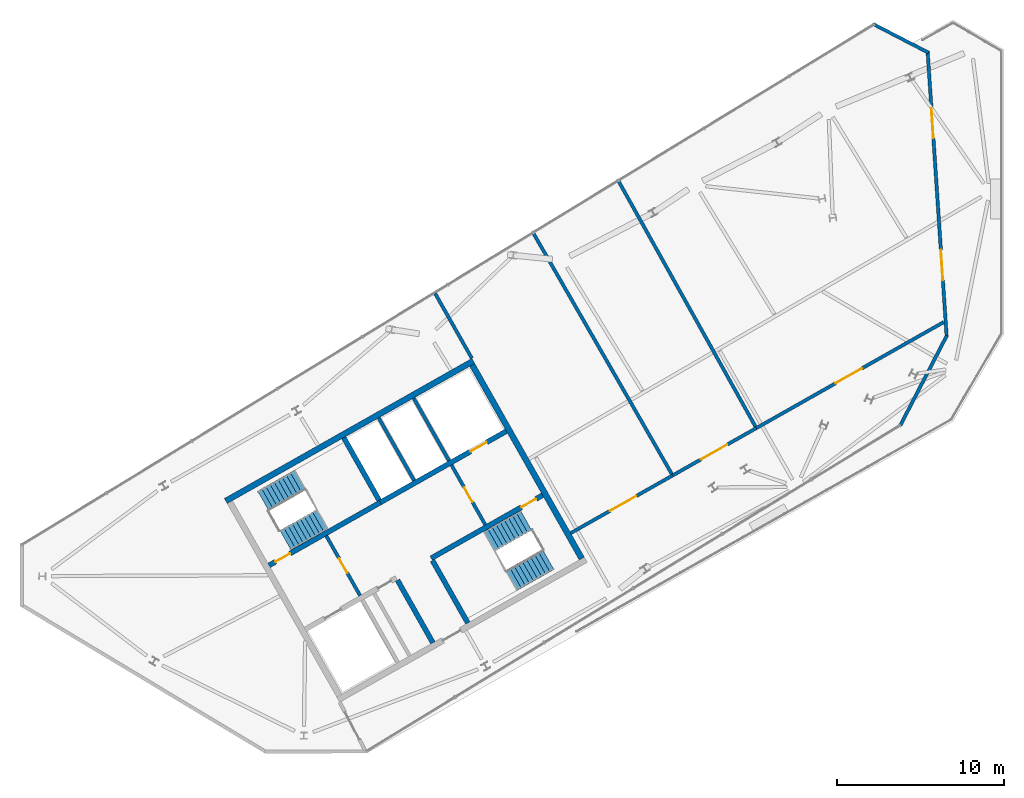
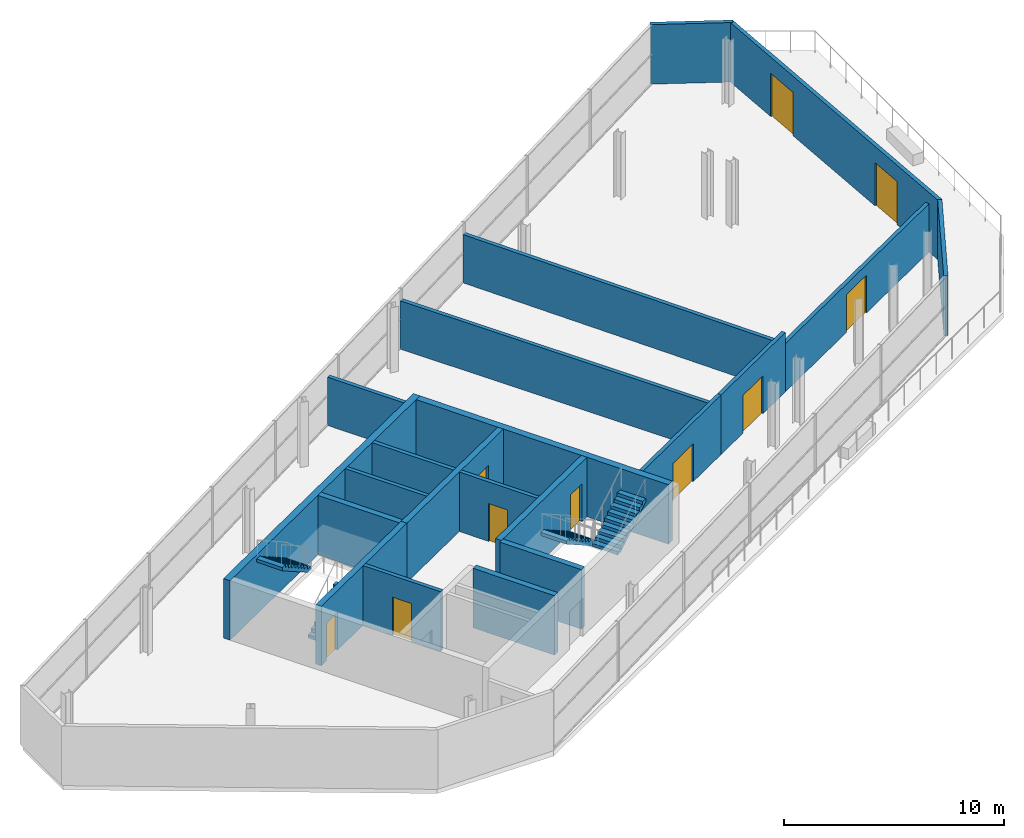
# One storey, part 8 of 10: 21 walls, 10 doors, 4 stair flights, 10 openings, 2 elements without a shape of their own.
"""IFC4 building model written with IfcOpenShell, lengths in metres."""

from ifc_helpers import new_model, si_unit, direction, frame, frame_2d, origin, place, context, subcontext, project, spatial, polyline, rectangle, outline, extrude, material, layer, layer_set, type_object, element, fill, aggregate, save


model = new_model("IFC4")

# Units and contexts
model_context = context("Model", 3, precision=1e-05, world=origin(), true_north=direction((0.0, 1.0)))
body_context = subcontext(model_context, "Body", "Model", "MODEL_VIEW")
ifc_project = project(units=[si_unit("LENGTHUNIT", "METRE"), si_unit("AREAUNIT", "SQUARE_METRE"), si_unit("VOLUMEUNIT", "CUBIC_METRE"), si_unit("PLANEANGLEUNIT", "RADIAN"), si_unit("MASSUNIT", "GRAM", prefix="KILO")], contexts=[model_context])

# Site, building, storey
site_placement = place(None, origin())
site = spatial("IfcSite", under=ifc_project, at=site_placement, CompositionType="ELEMENT")
building_placement = place(site_placement, origin())
building = spatial("IfcBuilding", under=site, at=building_placement, Name="Binnacle Exchange Tower", CompositionType="ELEMENT")
storey_placement = place(building_placement, frame((0.0, 0.0, 346.89990234375)))
storey = spatial("IfcBuildingStorey", under=building, at=storey_placement, Name="L79", CompositionType="ELEMENT", Elevation=346.89990234375)

# Wall, opening, door
ifc_material_1 = material(Name="Concrete C70/85", Category="concrete")
ifc_layer_1 = layer(ifc_material_1, 0.300048828125)
ifc_layer_set_1 = layer_set([ifc_layer_1], Name="Core wall - front 300")
wall_type_1 = type_object("IfcWallType", Name="Core wall - front 300", PredefinedType="SOLIDWALL", material=ifc_layer_set_1)
wall_1_placement = place(storey_placement, frame((-37.281982421875, 41.4345703125, 0.0), z_axis=(0.0, 0.0, 1.0), x_axis=(0.870364588774, 0.492407841741, 0.0)))
wall_1 = element("IfcWall", 1, at=wall_1_placement, inside=storey, type_object=wall_type_1, Name="Core wall CRWA5", PredefinedType="SOLIDWALL", context=body_context, shape_type="SweptSolid", body=[
    extrude(rectangle(XDim=8.64990234375, YDim=0.300048828125, at=frame_2d((4.324951171875, 0.0))), origin(), (0.0, 0.0, 1.0), 3.300048828125),
])
opening_1_placement = place(wall_1_placement, frame((6.199951171875, 0.0, 0.0)))
opening_1 = element("IfcOpeningElement", 2, at=opening_1_placement, cuts=wall_1, Name="Opening LD13", PredefinedType="OPENING", context=body_context, shape_type="SweptSolid", body=[
    extrude(rectangle(XDim=1.10009765625, YDim=2.10009765625, at=frame_2d((0.550048828125, 1.050048828125))), frame((0.0, 0.159912109375, 0.0), z_axis=(0.0, -1.0, 0.0), x_axis=(1.0, 0.0, 0.0)), (0.0, 0.0, 1.0), 0.320068359375),
])
ifc_material_2 = material(Name="Steel door leaf", Category="steel")
door_type_1 = type_object("IfcDoorType", Name="Fire door - lift landing 1100", OperationType="NOTDEFINED", PredefinedType="DOOR", material=ifc_material_2)
door_1_placement = place(opening_1_placement, origin())
door_1 = element("IfcDoor", 3, at=door_1_placement, inside=storey, type_object=door_type_1, Name="Landing door LD13 L79", OperationType="DOUBLE_DOOR_SLIDING", OverallHeight=2.10009765625, OverallWidth=1.10009765625, PredefinedType="DOOR", context=body_context, shape_type="SweptSolid", body=[
    extrude(rectangle(XDim=1.10009765625, YDim=2.10009765625, at=frame_2d((0.550048828125, 1.050048828125))), frame((0.0, 0.02490234375, 0.0), z_axis=(0.0, -1.0, 0.0), x_axis=(1.0, 0.0, 0.0)), (0.0, 0.0, 1.0), 0.050048828125),
])
fill(opening_1, door_1)

# Walls
wall_2_placement = place(storey_placement, frame((-36.260009765625, 36.784912109375, 0.0), z_axis=(0.0, 0.0, 1.0), x_axis=(0.492435133428, -0.870349147967, 0.0)))
element("IfcWall", 4, at=wall_2_placement, inside=storey, type_object=wall_type_1, Name="Core wall CRWA13", PredefinedType="SOLIDWALL", context=body_context, shape_type="SweptSolid", body=[
    extrude(rectangle(XDim=4.2998046875, YDim=0.300048828125, at=frame_2d((2.14990234375, 0.0))), origin(), (0.0, 0.0, 1.0), 3.300048828125),
])
ifc_layer_2 = layer(ifc_material_1, 0.35009765625)
ifc_layer_set_2 = layer_set([ifc_layer_2], Name="Core wall - outer 350")
wall_type_2 = type_object("IfcWallType", Name="Core wall - outer 350", PredefinedType="SOLIDWALL", material=ifc_layer_set_2)
wall_3_placement = place(storey_placement, frame((-46.5224609375, 41.5205078125, 0.0), z_axis=(0.0, 0.0, 1.0), x_axis=(0.870359753402, 0.492416388494, 0.0)))
element("IfcWall", 5, at=wall_3_placement, inside=storey, type_object=wall_type_2, Name="Core wall CRWA6", PredefinedType="SOLIDWALL", context=body_context, shape_type="SweptSolid", body=[
    extrude(rectangle(XDim=17.0, YDim=0.35009765625, at=frame_2d((8.5, 0.0))), origin(), (0.0, 0.0, 1.0), 3.300048828125),
])
wall_4_placement = place(storey_placement, frame((-31.79248046875, 49.6533203125, 0.0), z_axis=(0.0, 0.0, 1.0), x_axis=(0.492421943245, -0.870356610712, 0.0)))
element("IfcWall", 6, at=wall_4_placement, inside=storey, type_object=wall_type_2, Name="Core wall CRWA22", PredefinedType="SOLIDWALL", context=body_context, shape_type="SweptSolid", body=[
    extrude(rectangle(XDim=13.30029296875, YDim=0.35009765625, at=frame_2d((6.650146484375, 0.0))), origin(), (0.0, 0.0, 1.0), 3.300048828125),
])

# Wall, opening, door
ifc_layer_3 = layer(ifc_material_1, 0.300048828125)
ifc_layer_set_3 = layer_set([ifc_layer_3], Name="Core wall - stair 300")
wall_type_3 = type_object("IfcWallType", Name="Core wall - stair 300", PredefinedType="SOLIDWALL", material=ifc_layer_set_3)
wall_5_placement = place(storey_placement, frame((-34.2451171875, 38.097412109375, 0.0), z_axis=(0.0, 0.0, 1.0), x_axis=(0.870352347706, 0.49242947804, 0.0)))
wall_5 = element("IfcWall", 7, at=wall_5_placement, inside=storey, type_object=wall_type_3, Name="Core wall CRWA3", PredefinedType="SOLIDWALL", context=body_context, shape_type="SweptSolid", body=[
    extrude(rectangle(XDim=7.64990234375, YDim=0.300048828125, at=frame_2d((3.824951171875, 0.0))), origin(), (0.0, 0.0, 1.0), 3.300048828125),
])
opening_2_placement = place(wall_5_placement, frame((6.199951171875, 0.0, 0.0)))
opening_2 = element("IfcOpeningElement", 8, at=opening_2_placement, cuts=wall_5, Name="Opening DA2", PredefinedType="OPENING", context=body_context, shape_type="SweptSolid", body=[
    extrude(rectangle(XDim=1.0, YDim=2.10009765625, at=frame_2d((0.5, 1.050048828125))), frame((0.0, 0.159912109375, 0.0), z_axis=(0.0, -1.0, 0.0), x_axis=(1.0, 0.0, 0.0)), (0.0, 0.0, 1.0), 0.320068359375),
])
door_type_2 = type_object("IfcDoorType", Name="Fire door 1000", OperationType="NOTDEFINED", PredefinedType="DOOR", material=ifc_material_2)
door_2_placement = place(opening_2_placement, frame((1.0, 0.0, 0.0), z_axis=(0.0, 0.0, 1.0), x_axis=(-1.0, 0.0, 0.0)))
door_2 = element("IfcDoor", 9, at=door_2_placement, inside=storey, type_object=door_type_2, Name="Stair door ST-A2", OperationType="SINGLE_SWING_LEFT", OverallHeight=2.10009765625, OverallWidth=1.0, PredefinedType="DOOR", context=body_context, shape_type="SweptSolid", body=[
    extrude(rectangle(XDim=1.0, YDim=2.10009765625, at=frame_2d((0.5, 1.050048828125))), frame((0.0, 0.02490234375, 0.0), z_axis=(0.0, -1.0, 0.0), x_axis=(1.0, 0.0, 0.0)), (0.0, 0.0, 1.0), 0.050048828125),
])
fill(opening_2, door_2)

wall_6_placement = place(storey_placement, frame((-43.940185546875, 37.66748046875, 0.0), z_axis=(0.0, 0.0, 1.0), x_axis=(0.870352347706, 0.49242947804, 0.0)))
wall_6 = element("IfcWall", 10, at=wall_6_placement, inside=storey, type_object=wall_type_3, Name="Core wall CRWA4", PredefinedType="SOLIDWALL", context=body_context, shape_type="SweptSolid", body=[
    extrude(rectangle(XDim=7.64990234375, YDim=0.300048828125, at=frame_2d((3.824951171875, 0.0))), origin(), (0.0, 0.0, 1.0), 3.300048828125),
])
opening_3_placement = place(wall_6_placement, frame((0.449951171875, 0.0, 0.0)))
opening_3 = element("IfcOpeningElement", 11, at=opening_3_placement, cuts=wall_6, Name="Opening DA1", PredefinedType="OPENING", context=body_context, shape_type="SweptSolid", body=[
    extrude(rectangle(XDim=1.0, YDim=2.10009765625, at=frame_2d((0.5, 1.050048828125))), frame((0.0, 0.159912109375, 0.0), z_axis=(0.0, -1.0, 0.0), x_axis=(1.0, 0.0, 0.0)), (0.0, 0.0, 1.0), 0.320068359375),
])
door_3_placement = place(opening_3_placement, origin())
door_3 = element("IfcDoor", 12, at=door_3_placement, inside=storey, type_object=door_type_2, Name="Stair door ST-A1", OperationType="SINGLE_SWING_LEFT", OverallHeight=2.10009765625, OverallWidth=1.0, PredefinedType="DOOR", context=body_context, shape_type="SweptSolid", body=[
    extrude(rectangle(XDim=1.0, YDim=2.10009765625, at=frame_2d((0.5, 1.050048828125))), frame((0.0, 0.02490234375, 0.0), z_axis=(0.0, -1.0, 0.0), x_axis=(1.0, 0.0, 0.0)), (0.0, 0.0, 1.0), 0.050048828125),
])
fill(opening_3, door_3)

# Walls
wall_7_placement = place(storey_placement, frame((-39.473388671875, 45.3076171875, 0.0), z_axis=(0.0, 0.0, 1.0), x_axis=(0.492410799949, -0.870362915164, 0.0)))
element("IfcWall", 13, at=wall_7_placement, inside=storey, type_object=wall_type_3, Name="Core wall CRWA14", PredefinedType="SOLIDWALL", context=body_context, shape_type="SweptSolid", body=[
    extrude(rectangle(XDim=4.300048828125, YDim=0.300048828125, at=frame_2d((2.14990234375, 0.0))), origin(), (0.0, 0.0, 1.0), 3.300048828125),
])
wall_8_placement = place(storey_placement, frame((-34.171142578125, 37.966796875, 0.0), z_axis=(0.0, 0.0, 1.0), x_axis=(0.492435133428, -0.870349147967, 0.0)))
element("IfcWall", 14, at=wall_8_placement, inside=storey, type_object=wall_type_3, Name="Core wall CRWA16", PredefinedType="SOLIDWALL", context=body_context, shape_type="SweptSolid", body=[
    extrude(rectangle(XDim=4.2998046875, YDim=0.300048828125, at=frame_2d((2.14990234375, 0.0))), origin(), (0.0, 0.0, 1.0), 3.300048828125),
])
ifc_material_3 = material(Name="Bronze aluminium louvre", Category="aluminium")
ifc_layer_4 = layer(ifc_material_3, 0.199951171875)
ifc_layer_set_4 = layer_set([ifc_layer_4], Name="External wall - crown louvre 200")
wall_type_4 = type_object("IfcWallType", Name="External wall - crown louvre 200", PredefinedType="STANDARD", material=ifc_layer_set_4)
wall_9_placement = place(storey_placement, frame((-3.41796875, 51.410400390625, 0.0), z_axis=(0.0, 0.0, 1.0), x_axis=(-0.459961474469, -0.887938872899, 0.0)))
element("IfcWall", 15, at=wall_9_placement, inside=storey, type_object=wall_type_4, Name="External wall EW-C100 L79", PredefinedType="STANDARD", context=body_context, shape_type="SweptSolid", body=[
    extrude(rectangle(XDim=6.09130859375, YDim=0.199951171875, at=frame_2d((3.045654296875, 0.0))), origin(), (0.0, 0.0, 1.0), 3.300048828125),
])

# Wall, openings, doors
wall_10_placement = place(storey_placement, frame((-4.567138671875, 68.404052734375, 0.0), z_axis=(0.0, 0.0, 1.0), x_axis=(0.066621445169, -0.997778323599, 0.0)))
wall_10 = element("IfcWall", 16, at=wall_10_placement, inside=storey, type_object=wall_type_4, Name="External wall EW-C101 L79", PredefinedType="STANDARD", context=body_context, shape_type="SweptSolid", body=[
    extrude(rectangle(XDim=17.084228515625, YDim=0.199951171875, at=frame_2d((8.5419921875, 0.0))), origin(), (0.0, 0.0, 1.0), 3.300048828125),
])
opening_4_placement = place(wall_10_placement, frame((11.90625, 0.0, 0.0)))
opening_4 = element("IfcOpeningElement", 17, at=opening_4_placement, cuts=wall_10, Name="Opening D-FS23-01", PredefinedType="OPENING", context=body_context, shape_type="SweptSolid", body=[
    extrude(rectangle(XDim=1.800048828125, YDim=2.39990234375, at=frame_2d((0.89990234375, 1.199951171875))), frame((0.0, 0.10986328125, 0.0), z_axis=(0.0, -1.0, 0.0), x_axis=(1.0, 0.0, 0.0)), (0.0, 0.0, 1.0), 0.219970703125),
])
opening_5_placement = place(wall_10_placement, frame((3.40625, 0.0, 0.0)))
opening_5 = element("IfcOpeningElement", 18, at=opening_5_placement, cuts=wall_10, Name="Opening D-FS23-02", PredefinedType="OPENING", context=body_context, shape_type="SweptSolid", body=[
    extrude(rectangle(XDim=1.800048828125, YDim=2.39990234375, at=frame_2d((0.89990234375, 1.199951171875))), frame((0.0, 0.10986328125, 0.0), z_axis=(0.0, -1.0, 0.0), x_axis=(1.0, 0.0, 0.0)), (0.0, 0.0, 1.0), 0.219970703125),
])
ifc_material_4 = material(Name="Bronze anodised aluminium frame", Category="aluminium")
door_type_3 = type_object("IfcDoorType", Name="DT DOOR 1800x2400", OperationType="DOUBLE_DOOR_SINGLE_SWING", PredefinedType="DOOR", material=ifc_material_4)
door_4_placement = place(opening_4_placement, origin())
door_4 = element("IfcDoor", 19, at=door_4_placement, inside=storey, type_object=door_type_3, Name="Door D-FS23-01 L79", OperationType="DOUBLE_DOOR_SINGLE_SWING", OverallHeight=2.39990234375, OverallWidth=1.800048828125, PredefinedType="DOOR", context=body_context, shape_type="SweptSolid", body=[
    extrude(rectangle(XDim=1.800048828125, YDim=2.39990234375, at=frame_2d((0.89990234375, 1.199951171875))), frame((0.0, 0.02490234375, 0.0), z_axis=(0.0, -1.0, 0.0), x_axis=(1.0, 0.0, 0.0)), (0.0, 0.0, 1.0), 0.050048828125),
])
fill(opening_4, door_4)
door_5_placement = place(opening_5_placement, origin())
door_5 = element("IfcDoor", 20, at=door_5_placement, inside=storey, type_object=door_type_3, Name="Door D-FS23-02 L79", OperationType="DOUBLE_DOOR_SINGLE_SWING", OverallHeight=2.39990234375, OverallWidth=1.800048828125, PredefinedType="DOOR", context=body_context, shape_type="SweptSolid", body=[
    extrude(rectangle(XDim=1.800048828125, YDim=2.39990234375, at=frame_2d((0.89990234375, 1.199951171875))), frame((0.0, 0.02490234375, 0.0), z_axis=(0.0, -1.0, 0.0), x_axis=(1.0, 0.0, 0.0)), (0.0, 0.0, 1.0), 0.050048828125),
])
fill(opening_5, door_5)

# Walls
wall_11_placement = place(storey_placement, frame((-7.859619140625, 70.055419921875, 0.0), z_axis=(0.0, 0.0, 1.0), x_axis=(0.887922126938, -0.459993800495, 0.0)))
element("IfcWall", 21, at=wall_11_placement, inside=storey, type_object=wall_type_4, Name="External wall EW-C102 L79", PredefinedType="STANDARD", context=body_context, shape_type="SweptSolid", body=[
    extrude(rectangle(XDim=3.768798828125, YDim=0.199951171875, at=frame_2d((1.88427734375, 0.0))), origin(), (0.0, 0.0, 1.0), 3.300048828125),
])
ifc_material_5 = material(Name="Masonry block wall", Category="masonry")
ifc_layer_5 = layer(ifc_material_5, 0.199951171875)
ifc_layer_set_5 = layer_set([ifc_layer_5], Name="Fire wall - block 200")
wall_type_5 = type_object("IfcWallType", Name="Fire wall - block 200", PredefinedType="PARTITIONING", material=ifc_layer_set_5)
wall_12_placement = place(storey_placement, frame((-34.011962890625, 53.929931640625, 0.0), z_axis=(0.0, 0.0, 1.0), x_axis=(0.49265524993, -0.870224571428, 0.0)))
element("IfcWall", 22, at=wall_12_placement, inside=storey, type_object=wall_type_5, Name="Partition W02", PredefinedType="PARTITIONING", context=body_context, shape_type="SweptSolid", body=[
    extrude(rectangle(XDim=4.465576171875, YDim=0.199951171875, at=frame_2d((2.23291015625, 0.0))), origin(), (0.0, 0.0, 1.0), 2.68017578125),
])
wall_13_placement = place(storey_placement, frame((-28.131103515625, 57.52099609375, 0.0), z_axis=(0.0, 0.0, 1.0), x_axis=(0.498362592797, -0.866968699609, 0.0)))
element("IfcWall", 23, at=wall_13_placement, inside=storey, type_object=wall_type_5, Name="Partition W03", PredefinedType="PARTITIONING", context=body_context, shape_type="SweptSolid", body=[
    extrude(rectangle(XDim=16.69482421875, YDim=0.199951171875, at=frame_2d((8.347412109375, 0.0))), origin(), (0.0, 0.0, 1.0), 2.68017578125),
])

# Wall, opening, door
wall_14_placement = place(storey_placement, frame((-25.904052734375, 39.60009765625, 0.0), z_axis=(0.0, 0.0, 1.0), x_axis=(0.870370511163, 0.492397373366, 0.0)))
wall_14 = element("IfcWall", 24, at=wall_14_placement, inside=storey, type_object=wall_type_5, Name="Partition W04", PredefinedType="PARTITIONING", context=body_context, shape_type="SweptSolid", body=[
    extrude(rectangle(XDim=7.00048828125, YDim=0.199951171875, at=frame_2d((3.500244140625, 0.0))), origin(), (0.0, 0.0, 1.0), 3.300048828125),
])
opening_6_placement = place(wall_14_placement, frame((2.699951171875, 0.0, 0.0)))
opening_6 = element("IfcOpeningElement", 25, at=opening_6_placement, cuts=wall_14, Name="Opening DL79-01", PredefinedType="OPENING", context=body_context, shape_type="SweptSolid", body=[
    extrude(rectangle(XDim=1.800048828125, YDim=2.10009765625, at=frame_2d((0.89990234375, 1.050048828125))), frame((0.0, 0.10986328125, 0.0), z_axis=(0.0, -1.0, 0.0), x_axis=(1.0, 0.0, 0.0)), (0.0, 0.0, 1.0), 0.219970703125),
])
door_type_4 = type_object("IfcDoorType", Name="Fire door 1800", OperationType="NOTDEFINED", PredefinedType="DOOR", material=ifc_material_2)
door_6_placement = place(opening_6_placement, origin())
door_6 = element("IfcDoor", 26, at=door_6_placement, inside=storey, type_object=door_type_4, Name="Door DL79-01", OperationType="DOUBLE_DOOR_SINGLE_SWING", OverallHeight=2.10009765625, OverallWidth=1.800048828125, PredefinedType="DOOR", context=body_context, shape_type="SweptSolid", body=[
    extrude(rectangle(XDim=1.800048828125, YDim=2.10009765625, at=frame_2d((0.89990234375, 1.050048828125))), frame((0.0, 0.02490234375, 0.0), z_axis=(0.0, -1.0, 0.0), x_axis=(1.0, 0.0, 0.0)), (0.0, 0.0, 1.0), 0.050048828125),
])
fill(opening_6, door_6)

# Wall
wall_15_placement = place(storey_placement, frame((-23.037109375, 60.631103515625, 0.0), z_axis=(0.0, 0.0, 1.0), x_axis=(0.487224959402, -0.873276496269, 0.0)))
element("IfcWall", 27, at=wall_15_placement, inside=storey, type_object=wall_type_5, Name="Partition W05", PredefinedType="PARTITIONING", context=body_context, shape_type="SweptSolid", body=[
    extrude(rectangle(XDim=16.89404296875, YDim=0.199951171875, at=frame_2d((8.447021484375, 0.0))), origin(), (0.0, 0.0, 1.0), 2.68017578125),
])

# Wall, opening, door
wall_16_placement = place(storey_placement, frame((-19.81103515625, 43.047119140625, 0.0), z_axis=(0.0, 0.0, 1.0), x_axis=(0.870426794604, 0.492297872467, 0.0)))
wall_16 = element("IfcWall", 28, at=wall_16_placement, inside=storey, type_object=wall_type_5, Name="Partition W06", PredefinedType="PARTITIONING", context=body_context, shape_type="SweptSolid", body=[
    extrude(rectangle(XDim=5.750244140625, YDim=0.199951171875, at=frame_2d((2.875, 0.0))), origin(), (0.0, 0.0, 1.0), 3.300048828125),
])
opening_7_placement = place(wall_16_placement, frame((1.949951171875, 0.0, 0.0)))
opening_7 = element("IfcOpeningElement", 29, at=opening_7_placement, cuts=wall_16, Name="Opening DL79-02", PredefinedType="OPENING", context=body_context, shape_type="SweptSolid", body=[
    extrude(rectangle(XDim=1.800048828125, YDim=2.10009765625, at=frame_2d((0.89990234375, 1.050048828125))), frame((0.0, 0.10986328125, 0.0), z_axis=(0.0, -1.0, 0.0), x_axis=(1.0, 0.0, 0.0)), (0.0, 0.0, 1.0), 0.219970703125),
])
door_7_placement = place(opening_7_placement, origin())
door_7 = element("IfcDoor", 30, at=door_7_placement, inside=storey, type_object=door_type_4, Name="Door DL79-02", OperationType="DOUBLE_DOOR_SINGLE_SWING", OverallHeight=2.10009765625, OverallWidth=1.800048828125, PredefinedType="DOOR", context=body_context, shape_type="SweptSolid", body=[
    extrude(rectangle(XDim=1.800048828125, YDim=2.10009765625, at=frame_2d((0.89990234375, 1.050048828125))), frame((0.0, 0.02490234375, 0.0), z_axis=(0.0, -1.0, 0.0), x_axis=(1.0, 0.0, 0.0)), (0.0, 0.0, 1.0), 0.050048828125),
])
fill(opening_7, door_7)

wall_17_placement = place(storey_placement, frame((-14.805908203125, 45.8779296875, 0.0), z_axis=(0.0, 0.0, 1.0), x_axis=(0.870379652776, 0.492381214136, 0.0)))
wall_17 = element("IfcWall", 31, at=wall_17_placement, inside=storey, type_object=wall_type_5, Name="Partition W07", PredefinedType="PARTITIONING", context=body_context, shape_type="SweptSolid", body=[
    extrude(rectangle(XDim=12.862060546875, YDim=0.199951171875, at=frame_2d((6.43115234375, 0.0))), origin(), (0.0, 0.0, 1.0), 2.68017578125),
])
opening_8_placement = place(wall_17_placement, frame((5.449951171875, 0.0, 0.0)))
opening_8 = element("IfcOpeningElement", 32, at=opening_8_placement, cuts=wall_17, Name="Opening DL79-03", PredefinedType="OPENING", context=body_context, shape_type="SweptSolid", body=[
    extrude(rectangle(XDim=1.800048828125, YDim=2.10009765625, at=frame_2d((0.89990234375, 1.050048828125))), frame((0.0, 0.10986328125, 0.0), z_axis=(0.0, -1.0, 0.0), x_axis=(1.0, 0.0, 0.0)), (0.0, 0.0, 1.0), 0.219970703125),
])
door_8_placement = place(opening_8_placement, origin())
door_8 = element("IfcDoor", 33, at=door_8_placement, inside=storey, type_object=door_type_4, Name="Door DL79-03", OperationType="DOUBLE_DOOR_SINGLE_SWING", OverallHeight=2.10009765625, OverallWidth=1.800048828125, PredefinedType="DOOR", context=body_context, shape_type="SweptSolid", body=[
    extrude(rectangle(XDim=1.800048828125, YDim=2.10009765625, at=frame_2d((0.89990234375, 1.050048828125))), frame((0.0, 0.02490234375, 0.0), z_axis=(0.0, -1.0, 0.0), x_axis=(1.0, 0.0, 0.0)), (0.0, 0.0, 1.0), 0.050048828125),
])
fill(opening_8, door_8)

ifc_layer_6 = layer(ifc_material_5, 0.199951171875)
ifc_layer_set_6 = layer_set([ifc_layer_6], Name="Fire wall - vestibule 200")
wall_type_6 = type_object("IfcWallType", Name="Fire wall - vestibule 200", PredefinedType="PARTITIONING", material=ifc_layer_set_6)
wall_18_placement = place(storey_placement, frame((-40.515625, 39.4326171875, 0.0), z_axis=(0.0, 0.0, 1.0), x_axis=(0.492453559952, -0.87033872216, 0.0)))
wall_18 = element("IfcWall", 34, at=wall_18_placement, inside=storey, type_object=wall_type_6, Name="Core wall CRWA10", PredefinedType="PARTITIONING", context=body_context, shape_type="SweptSolid", body=[
    extrude(rectangle(XDim=4.099853515625, YDim=0.199951171875, at=frame_2d((2.0498046875, 0.0))), origin(), (0.0, 0.0, 1.0), 3.300048828125),
])
opening_9_placement = place(wall_18_placement, frame((1.550048828125, 0.0, 0.0)))
opening_9 = element("IfcOpeningElement", 35, at=opening_9_placement, cuts=wall_18, Name="Opening DA3", PredefinedType="OPENING", context=body_context, shape_type="SweptSolid", body=[
    extrude(rectangle(XDim=1.0, YDim=2.10009765625, at=frame_2d((0.5, 1.050048828125))), frame((0.0, 0.10986328125, 0.0), z_axis=(0.0, -1.0, 0.0), x_axis=(1.0, 0.0, 0.0)), (0.0, 0.0, 1.0), 0.219970703125),
])
door_9_placement = place(opening_9_placement, frame((1.0, 0.0, 0.0), z_axis=(0.0, 0.0, 1.0), x_axis=(-1.0, 0.0, 0.0)))
door_9 = element("IfcDoor", 36, at=door_9_placement, inside=storey, type_object=door_type_2, Name="Vestibule door VEST-W", OperationType="SINGLE_SWING_LEFT", OverallHeight=2.10009765625, OverallWidth=1.0, PredefinedType="DOOR", context=body_context, shape_type="SweptSolid", body=[
    extrude(rectangle(XDim=1.0, YDim=2.10009765625, at=frame_2d((0.5, 1.050048828125))), frame((0.0, 0.02490234375, 0.0), z_axis=(0.0, -1.0, 0.0), x_axis=(1.0, 0.0, 0.0)), (0.0, 0.0, 1.0), 0.050048828125),
])
fill(opening_9, door_9)

wall_19_placement = place(storey_placement, frame((-33.030517578125, 43.66748046875, 0.0), z_axis=(0.0, 0.0, 1.0), x_axis=(0.492408451753, -0.87036424366, 0.0)))
wall_19 = element("IfcWall", 37, at=wall_19_placement, inside=storey, type_object=wall_type_6, Name="Core wall CRWA19", PredefinedType="PARTITIONING", context=body_context, shape_type="SweptSolid", body=[
    extrude(rectangle(XDim=4.099853515625, YDim=0.199951171875, at=frame_2d((2.0498046875, 0.0))), origin(), (0.0, 0.0, 1.0), 3.300048828125),
])
opening_10_placement = place(wall_19_placement, frame((1.550048828125, 0.0, 0.0)))
opening_10 = element("IfcOpeningElement", 38, at=opening_10_placement, cuts=wall_19, Name="Opening DA4", PredefinedType="OPENING", context=body_context, shape_type="SweptSolid", body=[
    extrude(rectangle(XDim=1.0, YDim=2.10009765625, at=frame_2d((0.5, 1.050048828125))), frame((0.0, 0.10986328125, 0.0), z_axis=(0.0, -1.0, 0.0), x_axis=(1.0, 0.0, 0.0)), (0.0, 0.0, 1.0), 0.219970703125),
])
door_10_placement = place(opening_10_placement, origin())
door_10 = element("IfcDoor", 39, at=door_10_placement, inside=storey, type_object=door_type_2, Name="Vestibule door VEST-E", OperationType="SINGLE_SWING_RIGHT", OverallHeight=2.10009765625, OverallWidth=1.0, PredefinedType="DOOR", context=body_context, shape_type="SweptSolid", body=[
    extrude(rectangle(XDim=1.0, YDim=2.10009765625, at=frame_2d((0.5, 1.050048828125))), frame((0.0, 0.02490234375, 0.0), z_axis=(0.0, -1.0, 0.0), x_axis=(1.0, 0.0, 0.0)), (0.0, 0.0, 1.0), 0.050048828125),
])
fill(opening_10, door_10)

# Walls
ifc_layer_7 = layer(ifc_material_5, 0.199951171875)
ifc_layer_set_7 = layer_set([ifc_layer_7], Name="Shaft wall 200")
wall_type_7 = type_object("IfcWallType", Name="Shaft wall 200", PredefinedType="SOLIDWALL", material=ifc_layer_set_7)
wall_20_placement = place(storey_placement, frame((-37.384521484375, 46.489501953125, 0.0), z_axis=(0.0, 0.0, 1.0), x_axis=(0.492410799949, -0.870362915164, 0.0)))
element("IfcWall", 40, at=wall_20_placement, inside=storey, type_object=wall_type_7, Name="Core wall CRWA17", PredefinedType="SOLIDWALL", context=body_context, shape_type="SweptSolid", body=[
    extrude(rectangle(XDim=4.300048828125, YDim=0.199951171875, at=frame_2d((2.14990234375, 0.0))), origin(), (0.0, 0.0, 1.0), 3.300048828125),
])
wall_21_placement = place(storey_placement, frame((-35.295654296875, 47.671142578125, 0.0), z_axis=(0.0, 0.0, 1.0), x_axis=(0.492435133428, -0.870349147967, 0.0)))
element("IfcWall", 41, at=wall_21_placement, inside=storey, type_object=wall_type_7, Name="Core wall CRWA21", PredefinedType="SOLIDWALL", context=body_context, shape_type="SweptSolid", body=[
    extrude(rectangle(XDim=4.2998046875, YDim=0.199951171875, at=frame_2d((2.14990234375, 0.0))), origin(), (0.0, 0.0, 1.0), 3.300048828125),
])

# Stair, stair flights
ifc_material_6 = material(Name="Concrete C35/45", Category="concrete")
stair_type = type_object("IfcStairType", Name="STAIR 20 RISERS 180", PredefinedType="HALF_TURN_STAIR", material=ifc_material_6)
stair_1_placement = place(storey_placement, origin())
stair_1 = element("IfcStair", 42, at=stair_1_placement, inside=storey, type_object=stair_type, Name="L79 Escape stair A1", PredefinedType="HALF_TURN_STAIR")
stair_flight_type = type_object("IfcStairFlightType", Name="STAIR FLIGHT 180X280", PredefinedType="STRAIGHT", material=ifc_material_6)
stair_flight_1_placement = place(storey_placement, frame((-42.9541015625, 39.17333984375, 0.0), z_axis=(0.0, 0.0, 1.0), x_axis=(0.870355584213, 0.492423757581, 0.0)))
stair_flight_1 = element("IfcStairFlight", 43, at=stair_flight_1_placement, type_object=stair_flight_type, Name="STA1 flight 1", NumberOfRisers=10, NumberOfTreads=9, PredefinedType="STRAIGHT", RiserHeight=0.18, TreadLength=0.28, context=body_context, shape_type="SweptSolid", body=[
    extrude(outline(polyline([(0.0, 0.0), (0.0, 0.179931640625), (0.280029296875, 0.179931640625), (0.280029296875, 0.360107421875), (0.56005859375, 0.360107421875), (0.56005859375, 0.5400390625), (0.840087890625, 0.5400390625), (0.840087890625, 0.719970703125), (1.1201171875, 0.719970703125), (1.1201171875, 0.89990234375), (1.39990234375, 0.89990234375), (1.39990234375, 1.080078125), (1.679931640625, 1.080078125), (1.679931640625, 1.260009765625), (1.9599609375, 1.260009765625), (1.9599609375, 1.43994140625), (2.239990234375, 1.43994140625), (2.239990234375, 1.6201171875), (2.52001953125, 1.6201171875), (2.52001953125, 1.800048828125), (2.52001953125, 1.44189453125), (0.277099609375, 0.0), (0.0, 0.0)])), frame((0.0, 0.675048828125, 0.0), z_axis=(0.0, -1.0, 0.0), x_axis=(1.0, 0.0, 0.0)), (0.0, 0.0, 1.0), 1.35009765625),
])
stair_flight_2_placement = place(storey_placement, frame((-42.09033203125, 42.76416015625, 1.800048828125), z_axis=(0.0, 0.0, 1.0), x_axis=(-0.870355584213, -0.492423757581, 0.0)))
stair_flight_2 = element("IfcStairFlight", 44, at=stair_flight_2_placement, type_object=stair_flight_type, Name="STA1 flight 2", NumberOfRisers=10, NumberOfTreads=9, PredefinedType="STRAIGHT", RiserHeight=0.18, TreadLength=0.28, context=body_context, shape_type="SweptSolid", body=[
    extrude(outline(polyline([(0.0, 0.0), (0.0, 0.179931640625), (0.280029296875, 0.179931640625), (0.280029296875, 0.360107421875), (0.56005859375, 0.360107421875), (0.56005859375, 0.5400390625), (0.840087890625, 0.5400390625), (0.840087890625, 0.719970703125), (1.1201171875, 0.719970703125), (1.1201171875, 0.89990234375), (1.39990234375, 0.89990234375), (1.39990234375, 1.080078125), (1.679931640625, 1.080078125), (1.679931640625, 1.260009765625), (1.9599609375, 1.260009765625), (1.9599609375, 1.43994140625), (2.239990234375, 1.43994140625), (2.239990234375, 1.6201171875), (2.52001953125, 1.6201171875), (2.52001953125, 1.800048828125), (2.52001953125, 1.44189453125), (0.277099609375, 0.0), (0.0, 0.0)])), frame((0.0, 0.675048828125, 0.0), z_axis=(0.0, -1.0, 0.0), x_axis=(1.0, 0.0, 0.0)), (0.0, 0.0, 1.0), 1.35009765625),
])
aggregate(stair_1, [stair_flight_1, stair_flight_2])

stair_2_placement = place(storey_placement, origin())
stair_2 = element("IfcStair", 45, at=stair_2_placement, inside=storey, type_object=stair_type, Name="L79 Escape stair A2", PredefinedType="HALF_TURN_STAIR")
stair_flight_3_placement = place(storey_placement, frame((-28.5732421875, 40.3583984375, 0.0), z_axis=(0.0, 0.0, 1.0), x_axis=(-0.870355584213, -0.492423757581, 0.0)))
stair_flight_3 = element("IfcStairFlight", 46, at=stair_flight_3_placement, type_object=stair_flight_type, Name="STA2 flight 1", NumberOfRisers=10, NumberOfTreads=9, PredefinedType="STRAIGHT", RiserHeight=0.18, TreadLength=0.28, context=body_context, shape_type="SweptSolid", body=[
    extrude(outline(polyline([(0.0, 0.0), (0.0, 0.179931640625), (0.280029296875, 0.179931640625), (0.280029296875, 0.360107421875), (0.56005859375, 0.360107421875), (0.56005859375, 0.5400390625), (0.840087890625, 0.5400390625), (0.840087890625, 0.719970703125), (1.1201171875, 0.719970703125), (1.1201171875, 0.89990234375), (1.39990234375, 0.89990234375), (1.39990234375, 1.080078125), (1.679931640625, 1.080078125), (1.679931640625, 1.260009765625), (1.9599609375, 1.260009765625), (1.9599609375, 1.43994140625), (2.239990234375, 1.43994140625), (2.239990234375, 1.6201171875), (2.52001953125, 1.6201171875), (2.52001953125, 1.800048828125), (2.52001953125, 1.44189453125), (0.277099609375, 0.0), (0.0, 0.0)])), frame((0.0, 0.675048828125, 0.0), z_axis=(0.0, -1.0, 0.0), x_axis=(1.0, 0.0, 0.0)), (0.0, 0.0, 1.0), 1.35009765625),
])
stair_flight_4_placement = place(storey_placement, frame((-29.43701171875, 36.767578125, 1.800048828125), z_axis=(0.0, 0.0, 1.0), x_axis=(0.870355584213, 0.492423757581, 0.0)))
stair_flight_4 = element("IfcStairFlight", 47, at=stair_flight_4_placement, type_object=stair_flight_type, Name="STA2 flight 2", NumberOfRisers=10, NumberOfTreads=9, PredefinedType="STRAIGHT", RiserHeight=0.18, TreadLength=0.28, context=body_context, shape_type="SweptSolid", body=[
    extrude(outline(polyline([(0.0, 0.0), (0.0, 0.179931640625), (0.280029296875, 0.179931640625), (0.280029296875, 0.360107421875), (0.56005859375, 0.360107421875), (0.56005859375, 0.5400390625), (0.840087890625, 0.5400390625), (0.840087890625, 0.719970703125), (1.1201171875, 0.719970703125), (1.1201171875, 0.89990234375), (1.39990234375, 0.89990234375), (1.39990234375, 1.080078125), (1.679931640625, 1.080078125), (1.679931640625, 1.260009765625), (1.9599609375, 1.260009765625), (1.9599609375, 1.43994140625), (2.239990234375, 1.43994140625), (2.239990234375, 1.6201171875), (2.52001953125, 1.6201171875), (2.52001953125, 1.800048828125), (2.52001953125, 1.44189453125), (0.277099609375, 0.0), (0.0, 0.0)])), frame((0.0, 0.675048828125, 0.0), z_axis=(0.0, -1.0, 0.0), x_axis=(1.0, 0.0, 0.0)), (0.0, 0.0, 1.0), 1.35009765625),
])
aggregate(stair_2, [stair_flight_3, stair_flight_4])

save(model, "model.ifc")
